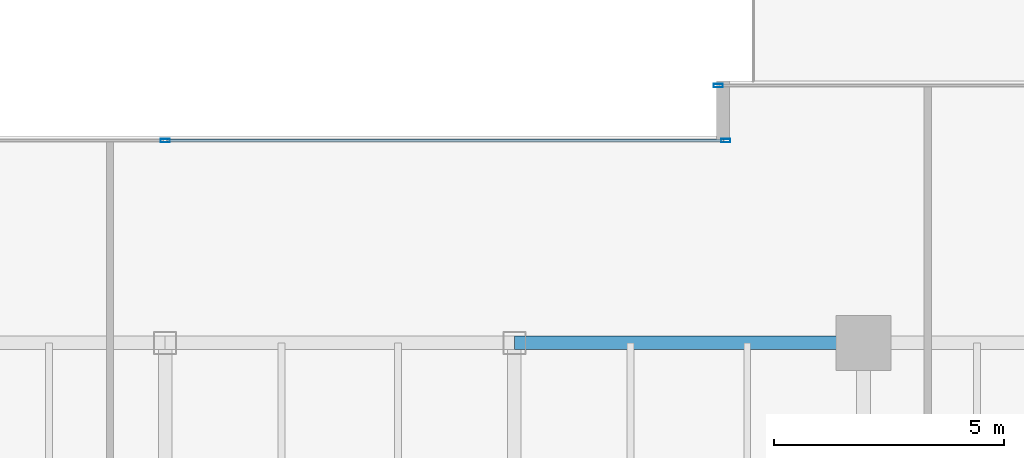
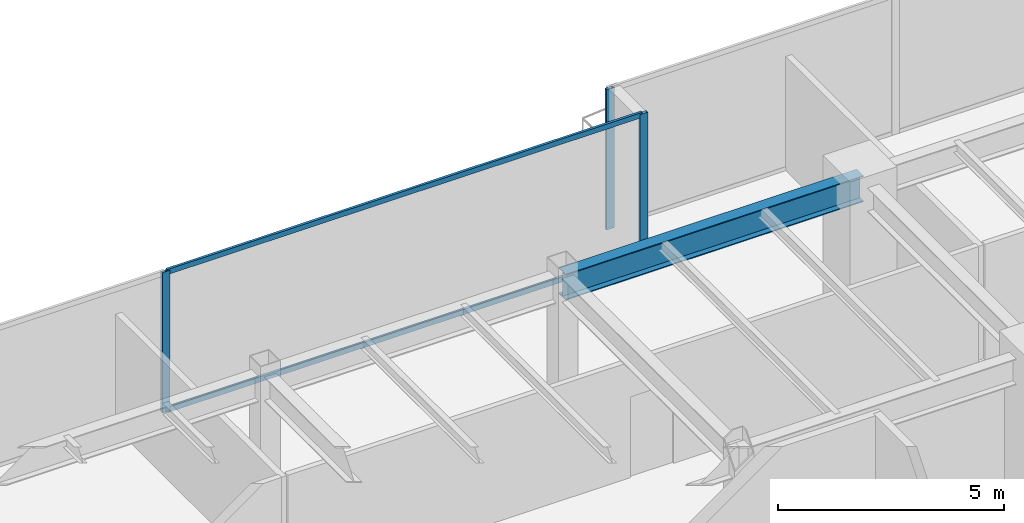
# One storey, part 16 of 30: 5 members, 1 beam, 2 elements without a shape of their own.
"""IFC4 building model written with IfcOpenShell, lengths in metres."""

from ifc_helpers import new_model, si_unit, direction, frame, origin, origin_2d, place, context, subcontext, project, spatial, hollow_rectangle, i_section, extrude, source, transform, mapped, material, layer, layer_set, material_profile, profile_set, type_object, type_shapes, element, aggregate, save


model = new_model("IFC4")

# Units and contexts
model_context = context("Model", 3, precision=1e-05, world=origin(), true_north=direction((0.0, 1.0)))
body_context = subcontext(model_context, "Body", "Model", "MODEL_VIEW")
ifc_project = project(units=[si_unit("LENGTHUNIT", "METRE"), si_unit("AREAUNIT", "SQUARE_METRE"), si_unit("VOLUMEUNIT", "CUBIC_METRE"), si_unit("PLANEANGLEUNIT", "RADIAN"), si_unit("MASSUNIT", "GRAM", prefix="KILO")], contexts=[model_context])

# Site, building, storey
site_placement = place(None, origin())
site = spatial("IfcSite", under=ifc_project, at=site_placement, CompositionType="ELEMENT")
building_placement = place(site_placement, origin())
building = spatial("IfcBuilding", under=site, at=building_placement, Name="Haelvirn Gate Laboratories", CompositionType="ELEMENT")
storey_placement = place(building_placement, frame((0.0, 0.0, 146.10009765625)))
storey = spatial("IfcBuildingStorey", under=building, at=storey_placement, Name="L35", CompositionType="ELEMENT", Elevation=146.10009765625)

# Beam
ifc_material_1 = material(Name="Steel SM355", Category="steel")
ifc_material_profile_1 = material_profile(ifc_material_1, i_section(OverallWidth=0.300048828125, OverallDepth=0.699951171875, WebThickness=0.012939453125, FlangeThickness=0.02392578125, at=origin_2d()), Name="H-700x300x13x24")
ifc_profile_set_1 = profile_set([ifc_material_profile_1], Name="Steel SM355")
beam_type = type_object("IfcBeamType", Name="BM-G-700", PredefinedType="BEAM", material=ifc_profile_set_1)
shared_shape_1 = source(origin(), body_context, "Body", "SweptSolid", [
    extrude(i_section(OverallWidth=0.300048828125, OverallDepth=0.699951171875, WebThickness=0.012939453125, FlangeThickness=0.02392578125, at=origin_2d()), origin(), (0.0, 0.0, 1.0), 7.60009765625),
])
type_shapes(beam_type, [shared_shape_1])
beam_placement = place(storey_placement, frame((45.0, 41.60009765625, 3.43994140625), z_axis=(1.0, 0.0, 0.0), x_axis=(0.0, 1.0, 0.0)))
element("IfcBeam", 1, at=beam_placement, inside=storey, type_object=beam_type, Name="L35 Primary Girder Y41.6 (45.0-52.6)", PredefinedType="BEAM", context=body_context, shape_type="MappedRepresentation", body=[
    mapped(shared_shape_1, transform((0.0, 0.0, 0.0), scale=1.0)),
])

# Curtain wall, members
ifc_material_2 = material(Name="Anodised bronze unitised aluminium & triple low-E glass", Category="aluminium")
ifc_layer = layer(ifc_material_2, 0.179931640625, Name="CW-SYS-3")
ifc_layer_set = layer_set([ifc_layer], Name="Anodised bronze unitised aluminium & triple low-E glass")
curtain_wall_type = type_object("IfcCurtainWallType", Name="CW-SYS-3", PredefinedType="NOTDEFINED", material=ifc_layer_set)
curtain_wall_1_placement = place(storey_placement, origin())
curtain_wall_1 = element("IfcCurtainWall", 2, at=curtain_wall_1_placement, inside=storey, type_object=curtain_wall_type, Name="L35 Unitised Curtain Wall CW-L35-P0-E12-1", PredefinedType="NOTDEFINED")
ifc_material_3 = material(Name="Extruded aluminium 6063-T6 (anodised bronze)", Category="aluminium")
ifc_material_profile_2 = material_profile(ifc_material_3, hollow_rectangle(XDim=0.06494140625, YDim=0.139892578125, WallThickness=0.00390625, at=origin_2d()), Name="CWT-140x65x4")
ifc_profile_set_2 = profile_set([ifc_material_profile_2], Name="Extruded aluminium 6063-T6 (anodised bronze)")
member_type_1 = type_object("IfcMemberType", Name="CWT-T140", PredefinedType="USERDEFINED", material=ifc_profile_set_2)
shared_shape_2 = source(origin(), body_context, "Body", "SweptSolid", [
    extrude(hollow_rectangle(XDim=0.06494140625, YDim=0.139892578125, WallThickness=0.00390625, at=origin_2d()), origin(), (0.0, 0.0, 1.0), 12.12744140625),
])
type_shapes(member_type_1, [shared_shape_2])
member_1_placement = place(storey_placement, frame((37.4375, 46.0, 0.032470703125), z_axis=(1.0, 0.0, 0.0), x_axis=(0.0, 1.0, 0.0)))
member_1 = element("IfcMember", 3, at=member_1_placement, type_object=member_type_1, Name="CW3 transom 2.1", ObjectType="TRANSOM", PredefinedType="USERDEFINED", context=body_context, shape_type="MappedRepresentation", body=[
    mapped(shared_shape_2, transform((0.0, 0.0, 0.0), scale=1.0)),
])
member_2_placement = place(storey_placement, frame((37.4375, 46.0, 3.75732421875), z_axis=(1.0, 0.0, 0.0), x_axis=(0.0, 1.0, 0.0)))
member_2 = element("IfcMember", 4, at=member_2_placement, type_object=member_type_1, Name="CW3 transom 2.2", ObjectType="TRANSOM", PredefinedType="USERDEFINED", context=body_context, shape_type="MappedRepresentation", body=[
    mapped(shared_shape_2, transform((0.0, 0.0, 0.0), scale=1.0)),
])

# Curtain wall, member
curtain_wall_2_placement = place(storey_placement, origin())
curtain_wall_2 = element("IfcCurtainWall", 5, at=curtain_wall_2_placement, inside=storey, type_object=curtain_wall_type, Name="L35 Unitised Curtain Wall CW-L35-P0-E10-1", PredefinedType="NOTDEFINED")
ifc_material_profile_3 = material_profile(ifc_material_3, hollow_rectangle(XDim=0.074951171875, YDim=0.199951171875, WallThickness=0.0048828125, at=origin_2d()), Name="CWM-200x75x5")
ifc_profile_set_3 = profile_set([ifc_material_profile_3], Name="Extruded aluminium 6063-T6 (anodised bronze)")
member_type_2 = type_object("IfcMemberType", Name="CWM-T200", PredefinedType="MULLION", material=ifc_profile_set_3)
shared_shape_3 = source(origin(), body_context, "Body", "SweptSolid", [
    extrude(hollow_rectangle(XDim=0.074951171875, YDim=0.199951171875, WallThickness=0.0048828125, at=origin_2d()), origin(), (0.0, 0.0, 1.0), 3.789794921875),
])
type_shapes(member_type_2, [shared_shape_3])
member_3_placement = place(storey_placement, frame((49.4375, 47.199951171875, 0.0), z_axis=(0.0, 0.0, 1.0), x_axis=(0.0, 1.0, 0.0)))
member_3 = element("IfcMember", 6, at=member_3_placement, type_object=member_type_2, Name="CW3 mullion 1", PredefinedType="MULLION", context=body_context, shape_type="MappedRepresentation", body=[
    mapped(shared_shape_3, transform((0.0, 0.0, 0.0), scale=1.0)),
])
aggregate(curtain_wall_2, [member_3])

# Member
member_4_placement = place(storey_placement, frame((37.39990234375, 46.0, 0.0), z_axis=(0.0, 0.0, 1.0), x_axis=(0.0, 1.0, 0.0)))
member_4 = element("IfcMember", 7, at=member_4_placement, type_object=member_type_2, Name="CW3 mullion 2", PredefinedType="MULLION", context=body_context, shape_type="MappedRepresentation", body=[
    mapped(shared_shape_3, transform((0.0, 0.0, 0.0), scale=1.0)),
])

member_5_placement = place(storey_placement, frame((49.6025390625, 46.0, 0.0), z_axis=(0.0, 0.0, 1.0), x_axis=(0.0, 1.0, 0.0)))
member_5 = element("IfcMember", 8, at=member_5_placement, type_object=member_type_2, Name="CW3 mullion 3", PredefinedType="MULLION", context=body_context, shape_type="MappedRepresentation", body=[
    mapped(shared_shape_3, transform((0.0, 0.0, 0.0), scale=1.0)),
])

aggregate(curtain_wall_1, [member_4, member_5, member_1, member_2])

save(model, "model.ifc")
